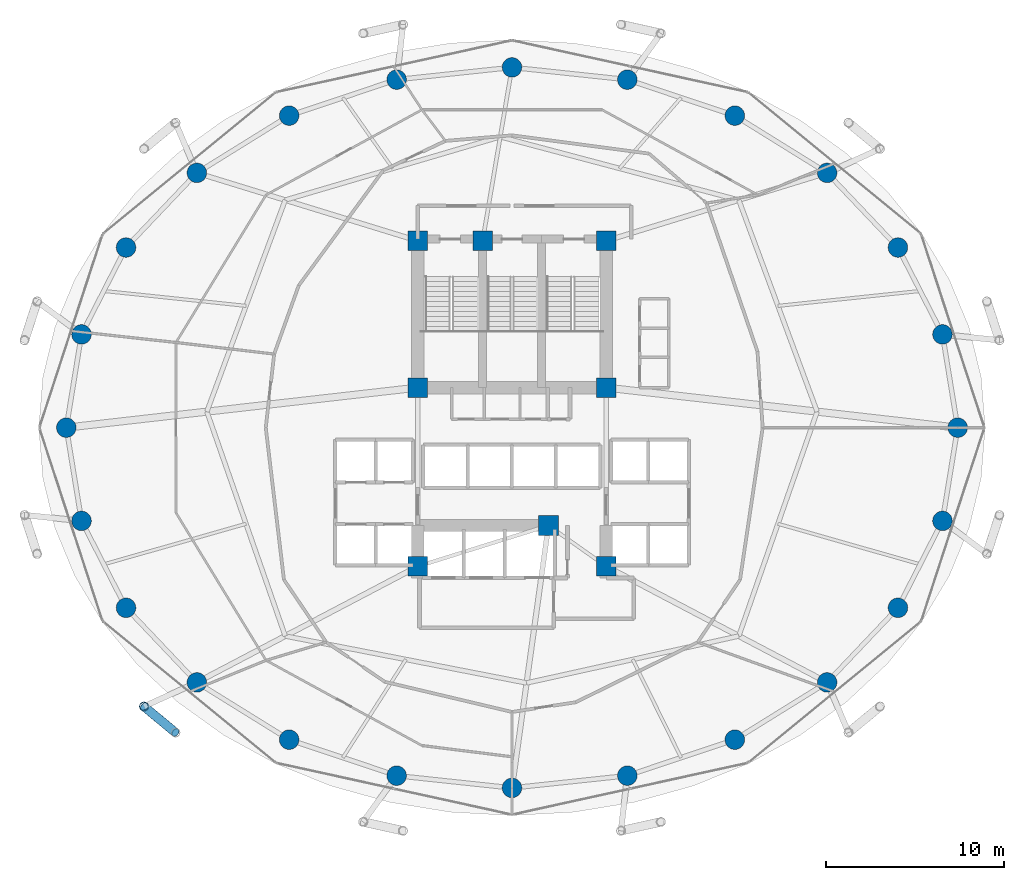
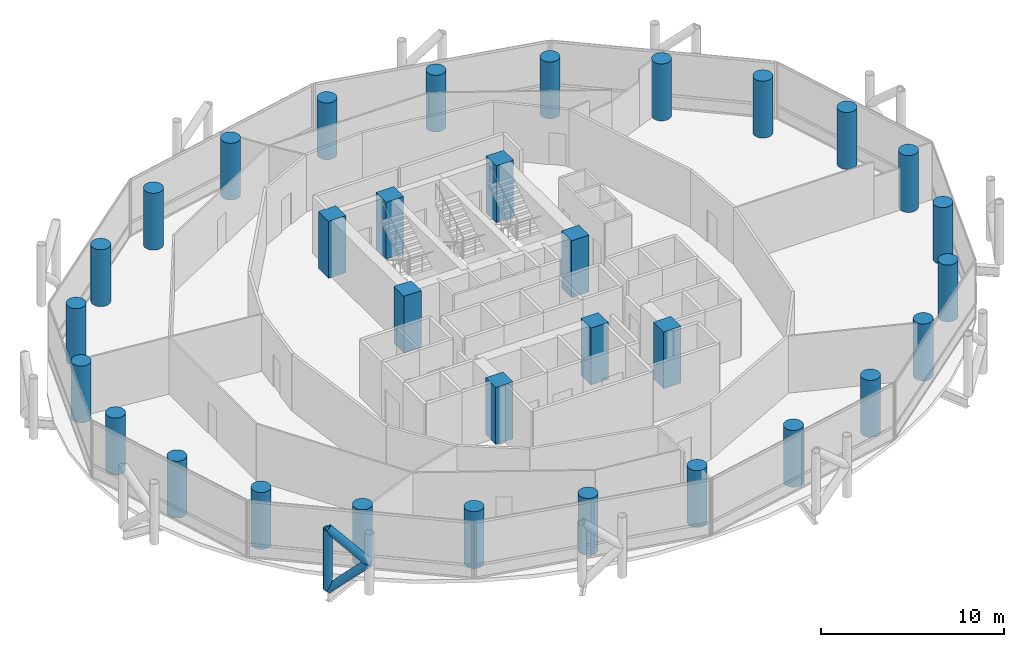
# One storey, part 1 of 25: 32 columns, 3 members.
"""IFC4 building model written with IfcOpenShell, lengths in metres."""

from ifc_helpers import new_model, si_unit, direction, frame, origin, origin_2d, place, context, subcontext, project, spatial, rectangle, circle, hollow_circle, extrude, material, material_profile, profile_set, type_object, element, save


model = new_model("IFC4")

# Units and contexts
model_context = context("Model", 3, precision=1e-05, world=origin(), true_north=direction((0.0, 1.0)))
body_context = subcontext(model_context, "Body", "Model", "MODEL_VIEW")
ifc_project = project(units=[si_unit("LENGTHUNIT", "METRE"), si_unit("AREAUNIT", "SQUARE_METRE"), si_unit("VOLUMEUNIT", "CUBIC_METRE"), si_unit("PLANEANGLEUNIT", "RADIAN"), si_unit("MASSUNIT", "GRAM", prefix="KILO")], contexts=[model_context])

# Site, building, storey
site_placement = place(None, origin())
site = spatial("IfcSite", under=ifc_project, at=site_placement, CompositionType="ELEMENT")
building_placement = place(site_placement, origin())
building = spatial("IfcBuilding", under=site, at=building_placement, Name="Nuhasar Tower", CompositionType="ELEMENT")
storey_placement = place(building_placement, frame((0.0, 0.0, 65.550048828125)))
storey = spatial("IfcBuildingStorey", under=building, at=storey_placement, Name="L15", CompositionType="ELEMENT", Elevation=65.550048828125)

# Columns
ifc_material_1 = material(Name="Concrete C80/95", Category="concrete")
ifc_material_profile_1 = material_profile(ifc_material_1, circle(Radius=0.550048828125, at=origin_2d()), Name="CFT1100")
ifc_profile_set_1 = profile_set([ifc_material_profile_1], Name="Concrete C80/95")
column_type_1 = type_object("IfcColumnType", Name="COL-CFT-1100", PredefinedType="COLUMN", material=ifc_profile_set_1)
for number, where, z_axis, x_axis, name in (
    (1, (64.050048828125, 26.800048828125, 0.0), (0.0, 0.0, 1.0), (1.0, 0.0, 0.0), "L15 Perimeter Composite Column TC-01"),
    (2, (63.196044921875, 32.041015625, 0.0), (0.0, 0.0, 1.0), (1.0, 0.0, 0.0), "L15 Perimeter Composite Column TC-02"),
    (3, (60.694091796875, 36.925048828125, 0.0), (0.0, 0.0, 1.0), (1.0, 0.0, 0.0), "L15 Perimeter Composite Column TC-03"),
    (4, (56.712890625, 41.118896484375, 0.0), (0.0, 0.0, 1.0), (1.0, 0.0, 0.0), "L15 Perimeter Composite Column TC-04"),
    (5, (51.52490234375, 44.3369140625, 0.0), (0.0, 0.0, 1.0), (1.0, 0.0, 0.0), "L15 Perimeter Composite Column TC-05"),
    (6, (45.48291015625, 46.360107421875, 0.0), (0.0, 0.0, 1.0), (1.0, 0.0, 0.0), "L15 Perimeter Composite Column TC-06"),
    (7, (39.0, 47.050048828125, 0.0), (0.0, 0.0, 1.0), (1.0, 0.0, 0.0), "L15 Perimeter Composite Column TC-07"),
    (8, (32.51708984375, 46.360107421875, 0.0), (0.0, 0.0, 1.0), (1.0, 0.0, 0.0), "L15 Perimeter Composite Column TC-08"),
    (9, (26.47509765625, 44.3369140625, 0.0), (0.0, 0.0, 1.0), (1.0, 0.0, 0.0), "L15 Perimeter Composite Column TC-09"),
    (10, (21.287109375, 41.118896484375, 0.0), (0.0, 0.0, 1.0), (1.0, 0.0, 0.0), "L15 Perimeter Composite Column TC-10"),
    (11, (17.305908203125, 36.925048828125, 0.0), (0.0, 0.0, 1.0), (1.0, 0.0, 0.0), "L15 Perimeter Composite Column TC-11"),
    (12, (14.803955078125, 32.041015625, 0.0), (0.0, 0.0, 1.0), (1.0, 0.0, 0.0), "L15 Perimeter Composite Column TC-12"),
    (13, (13.949951171875, 26.800048828125, 0.0), (0.0, 0.0, 1.0), (1.0, 0.0, 0.0), "L15 Perimeter Composite Column TC-13"),
    (14, (14.803955078125, 21.55908203125, 0.0), (0.0, 0.0, 1.0), (1.0, 0.0, 0.0), "L15 Perimeter Composite Column TC-14"),
    (15, (17.305908203125, 16.675048828125, 0.0), (0.0, 0.0, 1.0), (1.0, 0.0, 0.0), "L15 Perimeter Composite Column TC-15"),
    (16, (21.287109375, 12.48095703125, 0.0), (0.0, 0.0, 1.0), (1.0, 0.0, 0.0), "L15 Perimeter Composite Column TC-16"),
    (17, (26.47509765625, 9.262939453125, 0.0), (0.0, 0.0, 1.0), (1.0, 0.0, 0.0), "L15 Perimeter Composite Column TC-17"),
    (18, (32.51708984375, 7.239990234375, 0.0), (0.0, 0.0, 1.0), (1.0, 0.0, 0.0), "L15 Perimeter Composite Column TC-18"),
    (19, (39.0, 6.550048828125, 0.0), (0.0, 0.0, 1.0), (1.0, 0.0, 0.0), "L15 Perimeter Composite Column TC-19"),
    (20, (45.48291015625, 7.239990234375, 0.0), (0.0, 0.0, 1.0), (1.0, 0.0, 0.0), "L15 Perimeter Composite Column TC-20"),
    (21, (51.52490234375, 9.262939453125, 0.0), (0.0, 0.0, 1.0), (1.0, 0.0, 0.0), "L15 Perimeter Composite Column TC-21"),
    (22, (56.712890625, 12.48095703125, 0.0), (0.0, 0.0, 1.0), (1.0, 0.0, 0.0), "L15 Perimeter Composite Column TC-22"),
    (23, (60.694091796875, 16.675048828125, 0.0), (0.0, 0.0, 1.0), (1.0, 0.0, 0.0), "L15 Perimeter Composite Column TC-23"),
    (24, (63.196044921875, 21.55908203125, 0.0), (0.0, 0.0, 1.0), (1.0, 0.0, 0.0), "L15 Perimeter Composite Column TC-24"),
):
    element("IfcColumn", number, at=place(storey_placement, frame(where, z_axis=z_axis, x_axis=x_axis)), inside=storey, type_object=column_type_1, Name=name, PredefinedType="COLUMN", context=body_context, shape_type="SweptSolid", body=[
        extrude(circle(Radius=0.550048828125, at=origin_2d()), origin(), (0.0, 0.0, 1.0), 3.800048828125),
    ])
ifc_material_profile_2 = material_profile(ifc_material_1, rectangle(XDim=1.10009765625, YDim=1.10009765625, at=origin_2d()), Name="RC1100X1100")
ifc_profile_set_2 = profile_set([ifc_material_profile_2], Name="Concrete C80/95")
column_type_2 = type_object("IfcColumnType", Name="PIL-RC-1100", PredefinedType="PILASTER", material=ifc_profile_set_2)
for number, where, z_axis, x_axis, name in (
    (25, (33.699951171875, 19.0, 0.0), (0.0, 0.0, 1.0), (1.0, 0.0, 0.0), "L15 Core Boundary Pilaster CC-01"),
    (26, (41.050048828125, 21.300048828125, 0.0), (0.0, 0.0, 1.0), (1.0, 0.0, 0.0), "L15 Core Boundary Pilaster CC-02"),
    (27, (44.300048828125, 19.0, 0.0), (0.0, 0.0, 1.0), (1.0, 0.0, 0.0), "L15 Core Boundary Pilaster CC-03"),
    (28, (44.300048828125, 29.050048828125, 0.0), (0.0, 0.0, 1.0), (1.0, 0.0, 0.0), "L15 Core Boundary Pilaster CC-04"),
    (29, (44.300048828125, 37.300048828125, 0.0), (0.0, 0.0, 1.0), (1.0, 0.0, 0.0), "L15 Core Boundary Pilaster CC-05"),
    (30, (37.35009765625, 37.300048828125, 0.0), (0.0, 0.0, 1.0), (1.0, 0.0, 0.0), "L15 Core Boundary Pilaster CC-06"),
    (31, (33.699951171875, 37.300048828125, 0.0), (0.0, 0.0, 1.0), (1.0, 0.0, 0.0), "L15 Core Boundary Pilaster CC-07"),
    (32, (33.699951171875, 29.050048828125, 0.0), (0.0, 0.0, 1.0), (1.0, 0.0, 0.0), "L15 Core Boundary Pilaster CC-08"),
):
    element("IfcColumn", number, at=place(storey_placement, frame(where, z_axis=z_axis, x_axis=x_axis)), inside=storey, type_object=column_type_2, Name=name, PredefinedType="PILASTER", context=body_context, shape_type="SweptSolid", body=[
        extrude(rectangle(XDim=1.10009765625, YDim=1.10009765625, at=origin_2d()), origin(), (0.0, 0.0, 1.0), 3.800048828125),
    ])

# Members
ifc_material_2 = material(Name="Steel S460", Category="steel")
ifc_material_profile_3 = material_profile(ifc_material_2, hollow_circle(Radius=0.25390625, WallThickness=0.025390625, at=origin_2d()), Name="HSS508X25.4")
ifc_profile_set_3 = profile_set([ifc_material_profile_3], Name="Steel S460")
member_type = type_object("IfcMemberType", Name="EXO-BRONZE-508", PredefinedType="BRACE", material=ifc_profile_set_3)
member_1_placement = place(storey_placement, frame((18.31494140625, 11.12890625, 0.0), z_axis=(0.0, 0.0, 1.0), x_axis=(1.0, 0.0, 0.0)))
element("IfcMember", 33, at=member_1_placement, inside=storey, type_object=member_type, Name="L15 Exoskeleton Chord Column EC-08A", PredefinedType="BRACE", context=body_context, shape_type="SweptSolid", body=[
    extrude(hollow_circle(Radius=0.25390625, WallThickness=0.025390625, at=origin_2d()), origin(), (0.0, 0.0, 1.0), 4.050048828125),
])
member_2_placement = place(storey_placement, frame((18.31494140625, 11.12890625, 0.0), z_axis=(0.578101613167, -0.478937034992, 0.660619286251), x_axis=(0.637969333506, 0.770061769929, 0.0)))
element("IfcMember", 34, at=member_2_placement, inside=storey, type_object=member_type, Name="L15 Bronze Diagrid Brace W1-08", PredefinedType="BRACE", context=body_context, shape_type="SweptSolid", body=[
    extrude(hollow_circle(Radius=0.25390625, WallThickness=0.025390625, at=origin_2d()), origin(), (0.0, 0.0, 1.0), 3.065185546875),
])
member_3_placement = place(storey_placement, frame((20.0869140625, 9.660888671875, 2.02490234375), z_axis=(-0.578071194894, 0.478911834514, 0.660664172175), x_axis=(-0.637969333506, -0.770061769929, 0.0)))
element("IfcMember", 35, at=member_3_placement, inside=storey, type_object=member_type, Name="L15 Bronze Diagrid Brace W2-08", PredefinedType="BRACE", context=body_context, shape_type="SweptSolid", body=[
    extrude(hollow_circle(Radius=0.25390625, WallThickness=0.025390625, at=origin_2d()), origin(), (0.0, 0.0, 1.0), 3.0654296875),
])

save(model, "model.ifc")
